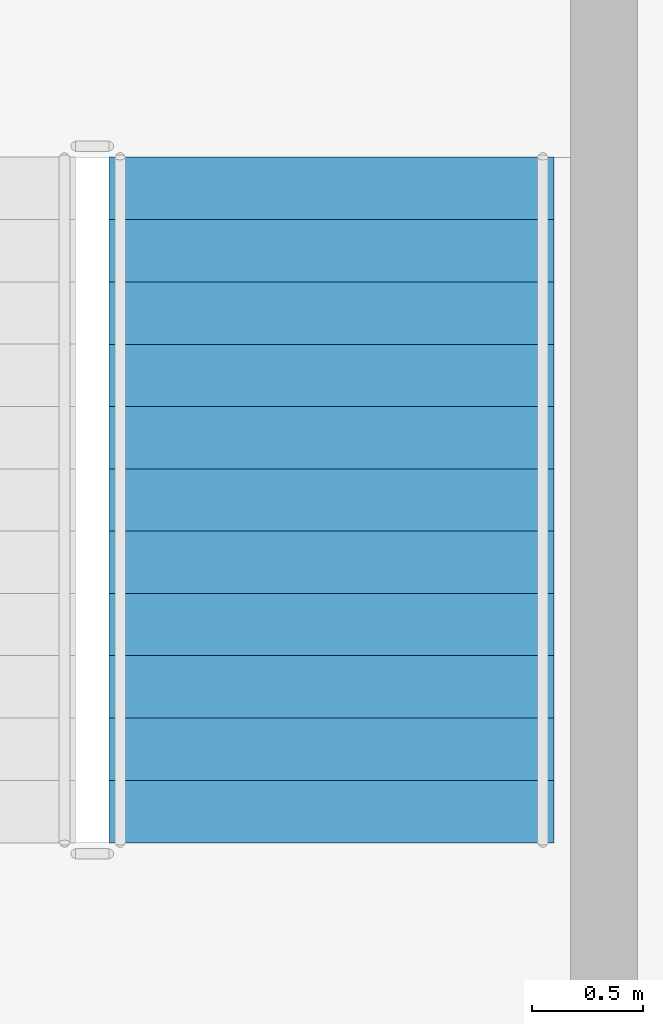
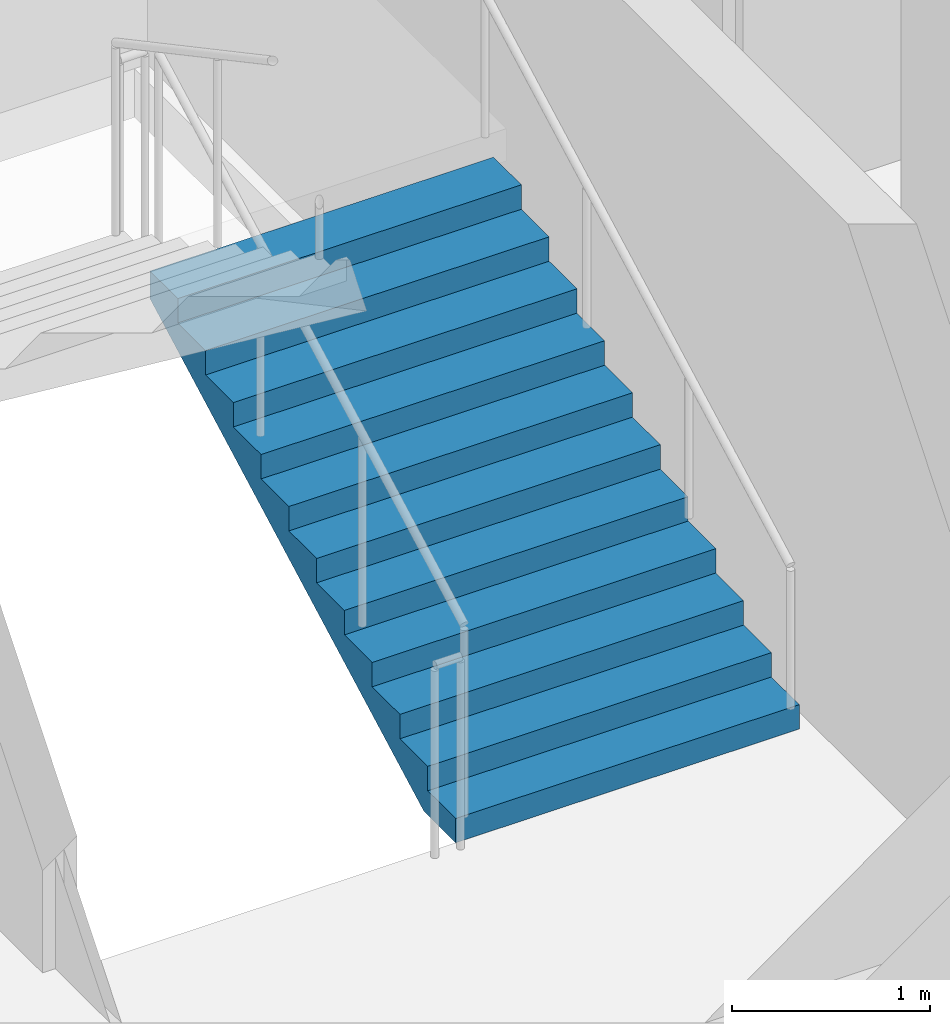
# One storey, part 11 of 14: 1 stair flight, 1 element without a shape of its own.
"""IFC4 building model written with IfcOpenShell, lengths in metres."""

from ifc_helpers import new_model, si_unit, direction, frame, origin, place, context, subcontext, project, spatial, polygons, material, type_object, element, aggregate, save


model = new_model("IFC4")

# Units and contexts
model_context = context("Model", 3, precision=1e-05, world=origin(), true_north=direction((0.0, 1.0)))
body_context = subcontext(model_context, "Body", "Model", "MODEL_VIEW")
ifc_project = project(units=[si_unit("LENGTHUNIT", "METRE"), si_unit("AREAUNIT", "SQUARE_METRE"), si_unit("VOLUMEUNIT", "CUBIC_METRE"), si_unit("PLANEANGLEUNIT", "RADIAN"), si_unit("MASSUNIT", "GRAM", prefix="KILO")], contexts=[model_context])

# Site, building, storey
site_placement = place(None, origin())
site = spatial("IfcSite", under=ifc_project, at=site_placement, CompositionType="ELEMENT")
building_placement = place(site_placement, origin())
building = spatial("IfcBuilding", under=site, at=building_placement, Name="Caravel Reach Hotel and Residences", CompositionType="ELEMENT")
storey_placement = place(building_placement, frame((0.0, 0.0, 40.800048828125)))
storey = spatial("IfcBuildingStorey", under=building, at=storey_placement, Name="L08", CompositionType="ELEMENT", Elevation=40.800048828125)

# Stair, stair flight
ifc_material_1 = material(Name="Concrete C40", Category="concrete")
stair_type = type_object("IfcStairType", Name="Core stair", PredefinedType="HALF_TURN_STAIR", material=ifc_material_1)
stair_placement = place(storey_placement, origin())
stair = element("IfcStair", 1, at=stair_placement, inside=storey, type_object=stair_type, Name="L08 Exit stair B", PredefinedType="HALF_TURN_STAIR")
ifc_material_2 = material(Name="Concrete C40", Category="concrete")
stair_flight_type = type_object("IfcStairFlightType", Name="Core stair flight", PredefinedType="STRAIGHT", material=ifc_material_2)
stair_flight_placement = place(storey_placement, frame((43.77490234375, 24.64990234375, 0.0), z_axis=(0.0, 0.0, 1.0), x_axis=(0.0, 1.0, 0.0)))
stair_flight = element("IfcStairFlight", 2, at=stair_flight_placement, type_object=stair_flight_type, Name="ST-B flight 1", NumberOfRisers=12, NumberOfTreads=11, PredefinedType="STRAIGHT", RiserHeight=0.15, TreadLength=0.28, context=body_context, shape_type="Tessellation", body=[
    polygons([(0.3174408016601862, 1.0, 0.0), (0.3174408016601862, 0.6666666666666667, 0.0), (0.3174408016601862, 0.33333333333333337, 0.0), (0.3174408016601862, 0.0, 0.0), (0.3174408016601862, -0.33333333333333326, 0.0), (0.3174408016601862, -0.6666666666666667, 0.0), (0.3174408016601862, -1.0, 0.0), (3.081, 1.0, 1.479942427682043), (3.081, 0.6666666666666667, 1.479942427682043), (3.081, 0.33333333333333337, 1.479942427682043), (3.081, 0.0, 1.479942427682043), (3.081, -0.33333333333333326, 1.479942427682043), (3.081, -0.6666666666666667, 1.479942427682043), (3.081, -1.0, 1.479942427682043), (3.081, 1.0, 1.65), (3.081, 0.6666666666666667, 1.65), (3.081, 0.33333333333333337, 1.65), (3.081, 0.0, 1.65), (3.081, -0.33333333333333326, 1.65), (3.081, -0.6666666666666667, 1.65), (3.081, -1.0, 1.65), (2.8000000000000003, 1.0, 1.65), (2.8000000000000003, 0.6666666666666667, 1.65), (2.8000000000000003, 0.33333333333333337, 1.65), (2.8000000000000003, 0.0, 1.65), (2.8000000000000003, -0.33333333333333326, 1.65), (2.8000000000000003, -0.6666666666666667, 1.65), (2.8000000000000003, -1.0, 1.65), (2.8000000000000003, 1.0, 1.5), (2.8000000000000003, 0.6666666666666667, 1.5), (2.8000000000000003, 0.33333333333333337, 1.5), (2.8000000000000003, 0.0, 1.5), (2.8000000000000003, -0.33333333333333326, 1.5), (2.8000000000000003, -0.6666666666666667, 1.5), (2.8000000000000003, -1.0, 1.5), (2.5200000000000005, 1.0, 1.5), (2.5200000000000005, 0.6666666666666667, 1.5), (2.5200000000000005, 0.33333333333333337, 1.5), (2.5200000000000005, 0.0, 1.5), (2.5200000000000005, -0.33333333333333326, 1.5), (2.5200000000000005, -0.6666666666666667, 1.5), (2.5200000000000005, -1.0, 1.5), (2.5200000000000005, 1.0, 1.3499999999999999), (2.5200000000000005, 0.6666666666666667, 1.3499999999999999), (2.5200000000000005, 0.33333333333333337, 1.3499999999999999), (2.5200000000000005, 0.0, 1.3499999999999999), (2.5200000000000005, -0.33333333333333326, 1.3499999999999999), (2.5200000000000005, -0.6666666666666667, 1.3499999999999999), (2.5200000000000005, -1.0, 1.3499999999999999), (2.24, 1.0, 1.3499999999999999), (2.24, 0.6666666666666667, 1.3499999999999999), (2.24, 0.33333333333333337, 1.3499999999999999), (2.24, 0.0, 1.3499999999999999), (2.24, -0.33333333333333326, 1.3499999999999999), (2.24, -0.6666666666666667, 1.3499999999999999), (2.24, -1.0, 1.3499999999999999), (2.24, 1.0, 1.2), (2.24, 0.6666666666666667, 1.2), (2.24, 0.33333333333333337, 1.2), (2.24, 0.0, 1.2), (2.24, -0.33333333333333326, 1.2), (2.24, -0.6666666666666667, 1.2), (2.24, -1.0, 1.2), (1.9600000000000002, 1.0, 1.2), (1.9600000000000002, 0.6666666666666667, 1.2), (1.9600000000000002, 0.33333333333333337, 1.2), (1.9600000000000002, 0.0, 1.2), (1.9600000000000002, -0.33333333333333326, 1.2), (1.9600000000000002, -0.6666666666666667, 1.2), (1.9600000000000002, -1.0, 1.2), (1.9600000000000002, 1.0, 1.05), (1.9600000000000002, 0.6666666666666667, 1.05), (1.9600000000000002, 0.33333333333333337, 1.05), (1.9600000000000002, 0.0, 1.05), (1.9600000000000002, -0.33333333333333326, 1.05), (1.9600000000000002, -0.6666666666666667, 1.05), (1.9600000000000002, -1.0, 1.05), (1.6800000000000002, 1.0, 1.05), (1.6800000000000002, 0.6666666666666667, 1.05), (1.6800000000000002, 0.33333333333333337, 1.05), (1.6800000000000002, 0.0, 1.05), (1.6800000000000002, -0.33333333333333326, 1.05), (1.6800000000000002, -0.6666666666666667, 1.05), (1.6800000000000002, -1.0, 1.05), (1.6800000000000002, 1.0, 0.8999999999999999), (1.6800000000000002, 0.6666666666666667, 0.8999999999999999), (1.6800000000000002, 0.33333333333333337, 0.8999999999999999), (1.6800000000000002, 0.0, 0.8999999999999999), (1.6800000000000002, -0.33333333333333326, 0.8999999999999999), (1.6800000000000002, -0.6666666666666667, 0.8999999999999999), (1.6800000000000002, -1.0, 0.8999999999999999), (1.4000000000000001, 1.0, 0.8999999999999999), (1.4000000000000001, 0.6666666666666667, 0.8999999999999999), (1.4000000000000001, 0.33333333333333337, 0.8999999999999999), (1.4000000000000001, 0.0, 0.8999999999999999), (1.4000000000000001, -0.33333333333333326, 0.8999999999999999), (1.4000000000000001, -0.6666666666666667, 0.8999999999999999), (1.4000000000000001, -1.0, 0.8999999999999999), (1.4000000000000001, 1.0, 0.75), (1.4000000000000001, 0.6666666666666667, 0.75), (1.4000000000000001, 0.33333333333333337, 0.75), (1.4000000000000001, 0.0, 0.75), (1.4000000000000001, -0.33333333333333326, 0.75), (1.4000000000000001, -0.6666666666666667, 0.75), (1.4000000000000001, -1.0, 0.75), (1.12, 1.0, 0.75), (1.12, 0.6666666666666667, 0.75), (1.12, 0.33333333333333337, 0.75), (1.12, 0.0, 0.75), (1.12, -0.33333333333333326, 0.75), (1.12, -0.6666666666666667, 0.75), (1.12, -1.0, 0.75), (1.12, 1.0, 0.6), (1.12, 0.6666666666666667, 0.6), (1.12, 0.33333333333333337, 0.6), (1.12, 0.0, 0.6), (1.12, -0.33333333333333326, 0.6), (1.12, -0.6666666666666667, 0.6), (1.12, -1.0, 0.6), (0.8400000000000001, 1.0, 0.6), (0.8400000000000001, 0.6666666666666667, 0.6), (0.8400000000000001, 0.33333333333333337, 0.6), (0.8400000000000001, 0.0, 0.6), (0.8400000000000001, -0.33333333333333326, 0.6), (0.8400000000000001, -0.6666666666666667, 0.6), (0.8400000000000001, -1.0, 0.6), (0.8400000000000001, 1.0, 0.44999999999999996), (0.8400000000000001, 0.6666666666666667, 0.44999999999999996), (0.8400000000000001, 0.33333333333333337, 0.44999999999999996), (0.8400000000000001, 0.0, 0.44999999999999996), (0.8400000000000001, -0.33333333333333326, 0.44999999999999996), (0.8400000000000001, -0.6666666666666667, 0.44999999999999996), (0.8400000000000001, -1.0, 0.44999999999999996), (0.56, 1.0, 0.44999999999999996), (0.56, 0.6666666666666667, 0.44999999999999996), (0.56, 0.33333333333333337, 0.44999999999999996), (0.56, 0.0, 0.44999999999999996), (0.56, -0.33333333333333326, 0.44999999999999996), (0.56, -0.6666666666666667, 0.44999999999999996), (0.56, -1.0, 0.44999999999999996), (0.56, 1.0, 0.3), (0.56, 0.6666666666666667, 0.3), (0.56, 0.33333333333333337, 0.3), (0.56, 0.0, 0.3), (0.56, -0.33333333333333326, 0.3), (0.56, -0.6666666666666667, 0.3), (0.56, -1.0, 0.3), (0.28, 1.0, 0.3), (0.28, 0.6666666666666667, 0.3), (0.28, 0.33333333333333337, 0.3), (0.28, 0.0, 0.3), (0.28, -0.33333333333333326, 0.3), (0.28, -0.6666666666666667, 0.3), (0.28, -1.0, 0.3), (0.28, 1.0, 0.15), (0.28, 0.6666666666666667, 0.15), (0.28, 0.33333333333333337, 0.15), (0.28, 0.0, 0.15), (0.28, -0.33333333333333326, 0.15), (0.28, -0.6666666666666667, 0.15), (0.28, -1.0, 0.15), (-0.001, 1.0, 0.15), (-0.001, 0.6666666666666667, 0.15), (-0.001, 0.33333333333333337, 0.15), (-0.001, 0.0, 0.15), (-0.001, -0.33333333333333326, 0.15), (-0.001, -0.6666666666666667, 0.15), (-0.001, -1.0, 0.15), (-0.001, 1.0, 0.0), (-0.001, 0.6666666666666667, 0.0), (-0.001, 0.33333333333333337, 0.0), (-0.001, 0.0, 0.0), (-0.001, -0.33333333333333326, 0.0), (-0.001, -0.6666666666666667, 0.0), (-0.001, -1.0, 0.0)], [[[169, 162, 155, 148, 141, 134, 127, 120, 113, 106, 99, 92, 85, 78, 71, 64, 57, 50, 43, 36, 29, 22, 15, 8, 1]], [[7, 14, 21, 28, 35, 42, 49, 56, 63, 70, 77, 84, 91, 98, 105, 112, 119, 126, 133, 140, 147, 154, 161, 168, 175]], [[1, 8, 9, 2]], [[2, 9, 10, 3]], [[3, 10, 11, 4]], [[4, 11, 12, 5]], [[5, 12, 13, 6]], [[6, 13, 14, 7]], [[8, 15, 16, 9]], [[9, 16, 17, 10]], [[10, 17, 18, 11]], [[11, 18, 19, 12]], [[12, 19, 20, 13]], [[13, 20, 21, 14]], [[15, 22, 23, 16]], [[16, 23, 24, 17]], [[17, 24, 25, 18]], [[18, 25, 26, 19]], [[19, 26, 27, 20]], [[20, 27, 28, 21]], [[22, 29, 30, 23]], [[23, 30, 31, 24]], [[24, 31, 32, 25]], [[25, 32, 33, 26]], [[26, 33, 34, 27]], [[27, 34, 35, 28]], [[29, 36, 37, 30]], [[30, 37, 38, 31]], [[31, 38, 39, 32]], [[32, 39, 40, 33]], [[33, 40, 41, 34]], [[34, 41, 42, 35]], [[36, 43, 44, 37]], [[37, 44, 45, 38]], [[38, 45, 46, 39]], [[39, 46, 47, 40]], [[40, 47, 48, 41]], [[41, 48, 49, 42]], [[43, 50, 51, 44]], [[44, 51, 52, 45]], [[45, 52, 53, 46]], [[46, 53, 54, 47]], [[47, 54, 55, 48]], [[48, 55, 56, 49]], [[50, 57, 58, 51]], [[51, 58, 59, 52]], [[52, 59, 60, 53]], [[53, 60, 61, 54]], [[54, 61, 62, 55]], [[55, 62, 63, 56]], [[57, 64, 65, 58]], [[58, 65, 66, 59]], [[59, 66, 67, 60]], [[60, 67, 68, 61]], [[61, 68, 69, 62]], [[62, 69, 70, 63]], [[64, 71, 72, 65]], [[65, 72, 73, 66]], [[66, 73, 74, 67]], [[67, 74, 75, 68]], [[68, 75, 76, 69]], [[69, 76, 77, 70]], [[71, 78, 79, 72]], [[72, 79, 80, 73]], [[73, 80, 81, 74]], [[74, 81, 82, 75]], [[75, 82, 83, 76]], [[76, 83, 84, 77]], [[78, 85, 86, 79]], [[79, 86, 87, 80]], [[80, 87, 88, 81]], [[81, 88, 89, 82]], [[82, 89, 90, 83]], [[83, 90, 91, 84]], [[85, 92, 93, 86]], [[86, 93, 94, 87]], [[87, 94, 95, 88]], [[88, 95, 96, 89]], [[89, 96, 97, 90]], [[90, 97, 98, 91]], [[92, 99, 100, 93]], [[93, 100, 101, 94]], [[94, 101, 102, 95]], [[95, 102, 103, 96]], [[96, 103, 104, 97]], [[97, 104, 105, 98]], [[99, 106, 107, 100]], [[100, 107, 108, 101]], [[101, 108, 109, 102]], [[102, 109, 110, 103]], [[103, 110, 111, 104]], [[104, 111, 112, 105]], [[106, 113, 114, 107]], [[107, 114, 115, 108]], [[108, 115, 116, 109]], [[109, 116, 117, 110]], [[110, 117, 118, 111]], [[111, 118, 119, 112]], [[113, 120, 121, 114]], [[114, 121, 122, 115]], [[115, 122, 123, 116]], [[116, 123, 124, 117]], [[117, 124, 125, 118]], [[118, 125, 126, 119]], [[120, 127, 128, 121]], [[121, 128, 129, 122]], [[122, 129, 130, 123]], [[123, 130, 131, 124]], [[124, 131, 132, 125]], [[125, 132, 133, 126]], [[127, 134, 135, 128]], [[128, 135, 136, 129]], [[129, 136, 137, 130]], [[130, 137, 138, 131]], [[131, 138, 139, 132]], [[132, 139, 140, 133]], [[134, 141, 142, 135]], [[135, 142, 143, 136]], [[136, 143, 144, 137]], [[137, 144, 145, 138]], [[138, 145, 146, 139]], [[139, 146, 147, 140]], [[141, 148, 149, 142]], [[142, 149, 150, 143]], [[143, 150, 151, 144]], [[144, 151, 152, 145]], [[145, 152, 153, 146]], [[146, 153, 154, 147]], [[148, 155, 156, 149]], [[149, 156, 157, 150]], [[150, 157, 158, 151]], [[151, 158, 159, 152]], [[152, 159, 160, 153]], [[153, 160, 161, 154]], [[155, 162, 163, 156]], [[156, 163, 164, 157]], [[157, 164, 165, 158]], [[158, 165, 166, 159]], [[159, 166, 167, 160]], [[160, 167, 168, 161]], [[162, 169, 170, 163]], [[163, 170, 171, 164]], [[164, 171, 172, 165]], [[165, 172, 173, 166]], [[166, 173, 174, 167]], [[167, 174, 175, 168]], [[169, 1, 2, 170]], [[170, 2, 3, 171]], [[171, 3, 4, 172]], [[172, 4, 5, 173]], [[173, 5, 6, 174]], [[174, 6, 7, 175]]], closed=True),
])
aggregate(stair, [stair_flight])

save(model, "model.ifc")
